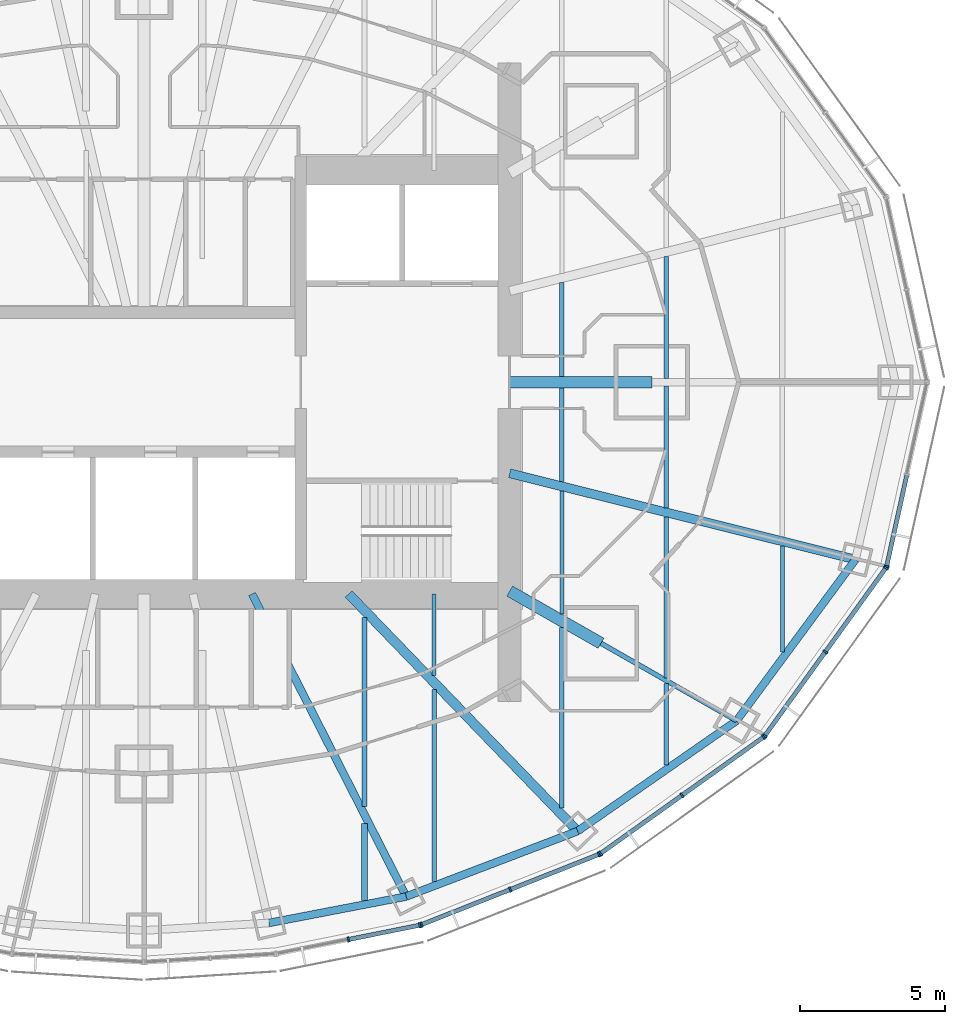
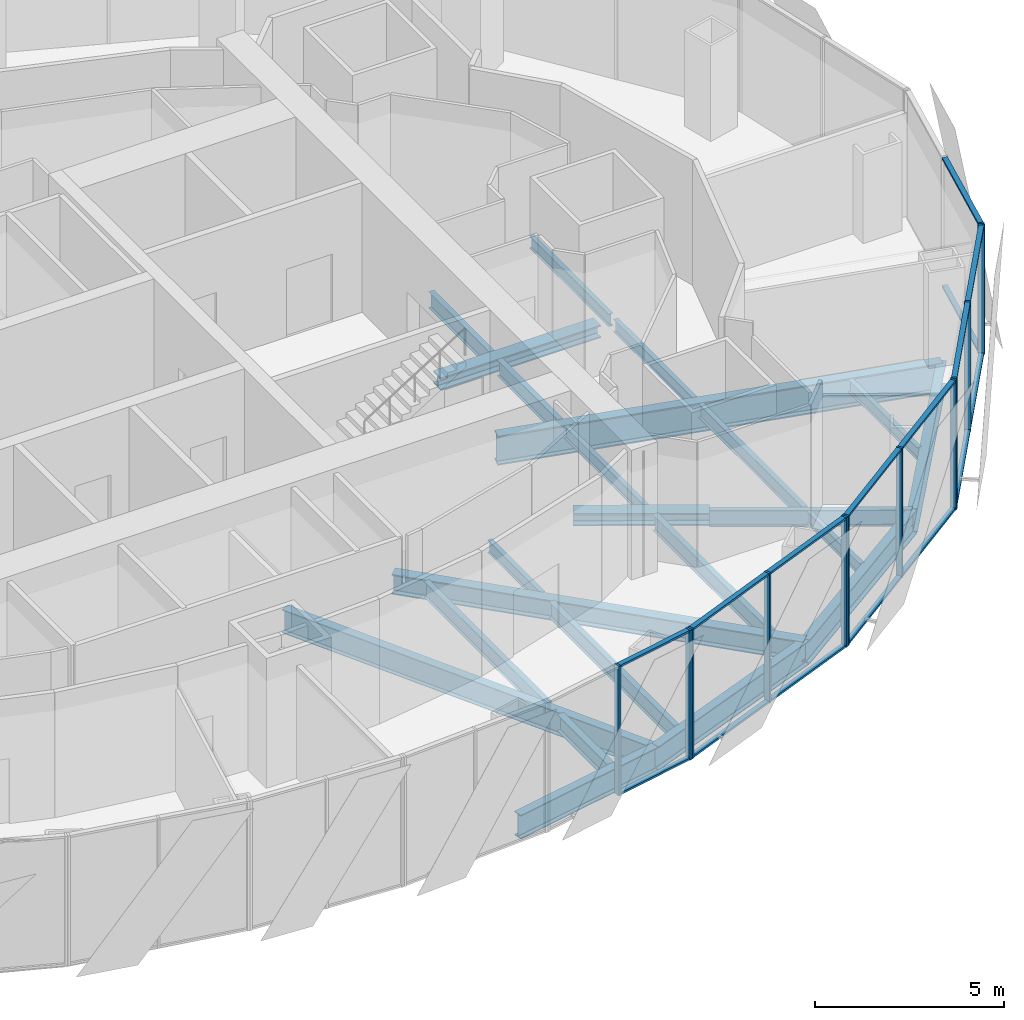
# One storey, part 6 of 18: 28 members, 23 beams, 5 elements without a shape of their own.
"""IFC4 building model written with IfcOpenShell, lengths in metres."""

from ifc_helpers import new_model, si_unit, direction, frame, origin, origin_2d, place, context, subcontext, project, spatial, rectangle, i_section, extrude, material, material_profile, profile_set, type_object, element, aggregate, save


model = new_model("IFC4")

# Units and contexts
model_context = context("Model", 3, precision=1e-05, world=origin(), true_north=direction((0.0, 1.0)))
body_context = subcontext(model_context, "Body", "Model", "MODEL_VIEW")
ifc_project = project(units=[si_unit("LENGTHUNIT", "METRE"), si_unit("AREAUNIT", "SQUARE_METRE"), si_unit("VOLUMEUNIT", "CUBIC_METRE"), si_unit("PLANEANGLEUNIT", "RADIAN"), si_unit("MASSUNIT", "GRAM", prefix="KILO")], contexts=[model_context])

# Site, building, storey
site_placement = place(None, origin())
site = spatial("IfcSite", under=ifc_project, at=site_placement, CompositionType="ELEMENT")
building_placement = place(site_placement, origin())
building = spatial("IfcBuilding", under=site, at=building_placement, Name="Lantaw Convention Tower", CompositionType="ELEMENT")
storey_placement = place(building_placement, frame((0.0, 0.0, 262.0)))
storey = spatial("IfcBuildingStorey", under=building, at=storey_placement, Name="L61", CompositionType="ELEMENT", Elevation=262.0)

# Beams
ifc_material_1 = material(Name="Steel ASTM A992", Category="steel")
ifc_material_profile_1 = material_profile(ifc_material_1, i_section(OverallWidth=0.2666015625, OverallDepth=0.76953125, WebThickness=0.015625, FlangeThickness=0.025390625, FilletRadius=0.0126953125, at=origin_2d()), Name="W30X132")
ifc_profile_set_1 = profile_set([ifc_material_profile_1], Name="Steel ASTM A992")
beam_type_1 = type_object("IfcBeamType", Name="Beam E W30X132", PredefinedType="SPANDREL", material=ifc_profile_set_1)
beam_1_placement = place(storey_placement, frame((4.303955078125, -18.64208984375, -0.534912109375), z_axis=(0.981972091702, 0.189025953556, 0.0), x_axis=(-0.189025953556, 0.981972091702, 0.0)))
element("IfcBeam", 1, at=beam_1_placement, inside=storey, type_object=beam_type_1, Name="Edge beam 20", PredefinedType="SPANDREL", context=body_context, shape_type="SweptSolid", body=[
    extrude(i_section(OverallWidth=0.2666015625, OverallDepth=0.76953125, WebThickness=0.015625, FlangeThickness=0.025390625, FilletRadius=0.0126953125, at=origin_2d()), origin(), (0.0, 0.0, 1.0), 4.817626953125),
])
beam_2_placement = place(storey_placement, frame((9.03466796875, -17.7314453125, -0.534912109375), z_axis=(0.934234988, 0.356658081637, 0.0), x_axis=(-0.356658081637, 0.934234988, 0.0)))
element("IfcBeam", 2, at=beam_2_placement, inside=storey, type_object=beam_type_1, Name="Edge beam 21", PredefinedType="SPANDREL", context=body_context, shape_type="SweptSolid", body=[
    extrude(i_section(OverallWidth=0.2666015625, OverallDepth=0.76953125, WebThickness=0.015625, FlangeThickness=0.025390625, FilletRadius=0.0126953125, at=origin_2d()), origin(), (0.0, 0.0, 1.0), 6.32568359375),
])
beam_3_placement = place(storey_placement, frame((14.9443359375, -15.475341796875, -0.534912109375), z_axis=(0.82135329406, 0.570419815869, 0.0), x_axis=(-0.570419815869, 0.82135329406, 0.0)))
element("IfcBeam", 3, at=beam_3_placement, inside=storey, type_object=beam_type_1, Name="Edge beam 22", PredefinedType="SPANDREL", context=body_context, shape_type="SweptSolid", body=[
    extrude(i_section(OverallWidth=0.2666015625, OverallDepth=0.76953125, WebThickness=0.015625, FlangeThickness=0.025390625, FilletRadius=0.0126953125, at=origin_2d()), origin(), (0.0, 0.0, 1.0), 6.67041015625),
])
beam_4_placement = place(storey_placement, frame((20.423095703125, -11.67041015625, -0.534912109375), z_axis=(0.593639188853, 0.804731329984, 0.0), x_axis=(-0.804731329984, 0.593639188853, 0.0)))
element("IfcBeam", 4, at=beam_4_placement, inside=storey, type_object=beam_type_1, Name="Edge beam 23", PredefinedType="SPANDREL", context=body_context, shape_type="SweptSolid", body=[
    extrude(i_section(OverallWidth=0.2666015625, OverallDepth=0.76953125, WebThickness=0.015625, FlangeThickness=0.025390625, FilletRadius=0.0126953125, at=origin_2d()), origin(), (0.0, 0.0, 1.0), 6.904541015625),
])
ifc_material_profile_2 = material_profile(ifc_material_1, i_section(OverallWidth=0.165771484375, OverallDepth=0.5283203125, WebThickness=0.009765625, FlangeThickness=0.013671875, FilletRadius=0.012939453125, at=origin_2d()), Name="W21X50")
ifc_profile_set_2 = profile_set([ifc_material_profile_2], Name="Steel ASTM A992")
beam_type_2 = type_object("IfcBeamType", Name="Beam G W21X50", PredefinedType="BEAM", material=ifc_profile_set_2)
beam_5_placement = place(storey_placement, frame((15.75, -9.0, -0.4140625), z_axis=(0.868237559289, -0.496148708192, 0.0), x_axis=(0.496148708192, 0.868237559289, 0.0)))
element("IfcBeam", 5, at=beam_5_placement, inside=storey, type_object=beam_type_2, Name="Floor girder on ray 23", PredefinedType="BEAM", context=body_context, shape_type="SweptSolid", body=[
    extrude(i_section(OverallWidth=0.165771484375, OverallDepth=0.5283203125, WebThickness=0.009765625, FlangeThickness=0.013671875, FilletRadius=0.012939453125, at=origin_2d()), origin(), (0.0, 0.0, 1.0), 5.38232421875),
])
ifc_material_profile_3 = material_profile(ifc_material_1, i_section(OverallWidth=0.32763671875, OverallDepth=0.64013671875, WebThickness=0.01904296875, FlangeThickness=0.033935546875, FilletRadius=0.0126953125, at=origin_2d()), Name="W24X176")
ifc_profile_set_3 = profile_set([ifc_material_profile_3], Name="Steel ASTM A992")
beam_type_3 = type_object("IfcBeamType", Name="Beam G W24X176", PredefinedType="BEAM", material=ifc_profile_set_3)
beam_6_placement = place(storey_placement, frame((7.049560546875, -7.300048828125, -0.469970703125), z_axis=(0.694657766726, -0.719340383356, 0.0), x_axis=(0.719340383356, 0.694657766726, 0.0)))
element("IfcBeam", 6, at=beam_6_placement, inside=storey, type_object=beam_type_3, Name="Floor girder on ray 22", PredefinedType="BEAM", context=body_context, shape_type="SweptSolid", body=[
    extrude(i_section(OverallWidth=0.32763671875, OverallDepth=0.64013671875, WebThickness=0.01904296875, FlangeThickness=0.033935546875, FilletRadius=0.0126953125, at=origin_2d()), origin(), (0.0, 0.0, 1.0), 11.364990234375),
])
ifc_material_profile_4 = material_profile(ifc_material_1, i_section(OverallWidth=0.2666015625, OverallDepth=0.7568359375, WebThickness=0.013916015625, FlangeThickness=0.019287109375, FilletRadius=0.0126953125, at=origin_2d()), Name="W30X108")
ifc_profile_set_4 = profile_set([ifc_material_profile_4], Name="Steel ASTM A992")
beam_type_4 = type_object("IfcBeamType", Name="Beam G W30X108", PredefinedType="BEAM", material=ifc_profile_set_4)
beam_7_placement = place(storey_placement, frame((3.719482421875, -7.300048828125, -0.528564453125), z_axis=(0.4539988787, -0.891002254845, 0.0), x_axis=(0.891002254845, 0.4539988787, 0.0)))
element("IfcBeam", 7, at=beam_7_placement, inside=storey, type_object=beam_type_4, Name="Floor girder on ray 21", PredefinedType="BEAM", context=body_context, shape_type="SweptSolid", body=[
    extrude(i_section(OverallWidth=0.2666015625, OverallDepth=0.7568359375, WebThickness=0.013916015625, FlangeThickness=0.019287109375, FilletRadius=0.0126953125, at=origin_2d()), origin(), (0.0, 0.0, 1.0), 11.70751953125),
])
ifc_material_profile_5 = material_profile(ifc_material_1, i_section(OverallWidth=0.307373046875, OverallDepth=0.9423828125, WebThickness=0.022216796875, FlangeThickness=0.039794921875, FilletRadius=0.0126953125, at=origin_2d()), Name="W36X232")
ifc_profile_set_5 = profile_set([ifc_material_profile_5], Name="Steel ASTM A992")
beam_type_5 = type_object("IfcBeamType", Name="Beam G W36X232", PredefinedType="BEAM", material=ifc_profile_set_5)
beam_8_placement = place(storey_placement, frame((12.60009765625, -3.1416015625, -0.62109375), z_axis=(0.970296589314, -0.241918434119, 0.0), x_axis=(0.241918434119, 0.970296589314, 0.0)))
element("IfcBeam", 8, at=beam_8_placement, inside=storey, type_object=beam_type_5, Name="Floor girder on ray 24", PredefinedType="BEAM", context=body_context, shape_type="SweptSolid", body=[
    extrude(i_section(OverallWidth=0.307373046875, OverallDepth=0.9423828125, WebThickness=0.022216796875, FlangeThickness=0.039794921875, FilletRadius=0.0126953125, at=origin_2d()), origin(), (0.0, 0.0, 1.0), 12.286865234375),
])
ifc_material_profile_6 = material_profile(ifc_material_1, i_section(OverallWidth=0.40380859375, OverallDepth=0.406494140625, WebThickness=0.027099609375, FlangeThickness=0.043701171875, FilletRadius=0.01513671875, at=origin_2d()), Name="W14X233")
ifc_profile_set_6 = profile_set([ifc_material_profile_6], Name="Steel ASTM A992")
beam_type_6 = type_object("IfcBeamType", Name="Beam GM W14X233", PredefinedType="BEAM", material=ifc_profile_set_6)
beam_9_placement = place(storey_placement, frame((12.60009765625, 0.0, -0.353271484375), z_axis=(1.0, 0.0, 0.0), x_axis=(0.0, 1.0, 0.0)))
element("IfcBeam", 9, at=beam_9_placement, inside=storey, type_object=beam_type_6, Name="Core link beam on ray 1", PredefinedType="BEAM", context=body_context, shape_type="SweptSolid", body=[
    extrude(i_section(OverallWidth=0.40380859375, OverallDepth=0.406494140625, WebThickness=0.027099609375, FlangeThickness=0.043701171875, FilletRadius=0.01513671875, at=origin_2d()), origin(), (0.0, 0.0, 1.0), 4.89990234375),
])
beam_10_placement = place(storey_placement, frame((12.60009765625, -7.199951171875, -0.353271484375), z_axis=(0.868230718294, -0.496160679428, 0.0), x_axis=(0.496160679428, 0.868230718294, 0.0)))
element("IfcBeam", 10, at=beam_10_placement, inside=storey, type_object=beam_type_6, Name="Core link beam on ray 23", PredefinedType="BEAM", context=body_context, shape_type="SweptSolid", body=[
    extrude(i_section(OverallWidth=0.40380859375, OverallDepth=0.406494140625, WebThickness=0.027099609375, FlangeThickness=0.043701171875, FilletRadius=0.01513671875, at=origin_2d()), origin(), (0.0, 0.0, 1.0), 3.6279296875),
])
ifc_material_profile_7 = material_profile(ifc_material_1, i_section(OverallWidth=0.140380859375, OverallDepth=0.40380859375, WebThickness=0.007080078125, FlangeThickness=0.01123046875, FilletRadius=0.01025390625, at=origin_2d()), Name="W16X31")
ifc_profile_set_7 = profile_set([ifc_material_profile_7], Name="Steel ASTM A992")
beam_type_7 = type_object("IfcBeamType", Name="Beam J W16X31", PredefinedType="JOIST", material=ifc_profile_set_7)
beam_11_placement = place(storey_placement, frame((10.0, -10.119384765625, -0.35205078125), z_axis=(0.0, 1.0, 0.0), x_axis=(-1.0, 0.0, 0.0)))
element("IfcBeam", 11, at=beam_11_placement, inside=storey, type_object=beam_type_7, Name="Floor joist", PredefinedType="JOIST", context=body_context, shape_type="SweptSolid", body=[
    extrude(i_section(OverallWidth=0.140380859375, OverallDepth=0.40380859375, WebThickness=0.007080078125, FlangeThickness=0.01123046875, FilletRadius=0.01025390625, at=origin_2d()), origin(), (0.0, 0.0, 1.0), 2.8193359375),
])
beam_12_placement = place(storey_placement, frame((14.39990234375, -7.99609375, -0.35205078125), z_axis=(0.0, 1.0, 0.0), x_axis=(-1.0, 0.0, 0.0)))
element("IfcBeam", 12, at=beam_12_placement, inside=storey, type_object=beam_type_7, Name="Floor joist", PredefinedType="JOIST", context=body_context, shape_type="SweptSolid", body=[
    extrude(i_section(OverallWidth=0.140380859375, OverallDepth=0.40380859375, WebThickness=0.007080078125, FlangeThickness=0.01123046875, FilletRadius=0.01025390625, at=origin_2d()), origin(), (0.0, 0.0, 1.0), 4.247314453125),
])
beam_13_placement = place(storey_placement, frame((18.0, -13.19091796875, -0.35205078125), z_axis=(0.0, 1.0, 0.0), x_axis=(-1.0, 0.0, 0.0)))
element("IfcBeam", 13, at=beam_13_placement, inside=storey, type_object=beam_type_7, Name="Floor joist", PredefinedType="JOIST", context=body_context, shape_type="SweptSolid", body=[
    extrude(i_section(OverallWidth=0.140380859375, OverallDepth=0.40380859375, WebThickness=0.007080078125, FlangeThickness=0.01123046875, FilletRadius=0.01025390625, at=origin_2d()), origin(), (0.0, 0.0, 1.0), 2.8095703125),
])
for number, where, z_axis, x_axis, name in (
    (14, (18.0, -4.32958984375, -0.35205078125), (0.0, 1.0, 0.0), (-1.0, 0.0, 0.0), "Floor joist"),
    (15, (18.0, 0.126953125, -0.35205078125), (0.0, 1.0, 0.0), (-1.0, 0.0, 0.0), "Floor joist"),
):
    element("IfcBeam", number, at=place(storey_placement, frame(where, z_axis=z_axis, x_axis=x_axis)), inside=storey, type_object=beam_type_7, Name=name, PredefinedType="JOIST", context=body_context, shape_type="SweptSolid", body=[
        extrude(i_section(OverallWidth=0.140380859375, OverallDepth=0.40380859375, WebThickness=0.007080078125, FlangeThickness=0.01123046875, FilletRadius=0.01025390625, at=origin_2d()), origin(), (0.0, 0.0, 1.0), 4.20263671875),
    ])
beam_14_placement = place(storey_placement, frame((22.0, -9.30810546875, -0.35205078125), z_axis=(0.0, 1.0, 0.0), x_axis=(-1.0, 0.0, 0.0)))
element("IfcBeam", 16, at=beam_14_placement, inside=storey, type_object=beam_type_7, Name="Floor joist", PredefinedType="JOIST", context=body_context, shape_type="SweptSolid", body=[
    extrude(i_section(OverallWidth=0.140380859375, OverallDepth=0.40380859375, WebThickness=0.007080078125, FlangeThickness=0.01123046875, FilletRadius=0.01025390625, at=origin_2d()), origin(), (0.0, 0.0, 1.0), 3.66455078125),
])
ifc_material_profile_8 = material_profile(ifc_material_1, i_section(OverallWidth=0.15234375, OverallDepth=0.449462890625, WebThickness=0.007568359375, FlangeThickness=0.0107421875, FilletRadius=0.01025390625, at=origin_2d()), Name="W18X35")
ifc_profile_set_8 = profile_set([ifc_material_profile_8], Name="Steel ASTM A992")
beam_type_8 = type_object("IfcBeamType", Name="Beam J W18X35", PredefinedType="JOIST", material=ifc_profile_set_8)
beam_15_placement = place(storey_placement, frame((18.0, -10.190185546875, -0.374755859375), z_axis=(0.0, 1.0, 0.0), x_axis=(-1.0, 0.0, 0.0)))
element("IfcBeam", 17, at=beam_15_placement, inside=storey, type_object=beam_type_8, Name="Floor joist", PredefinedType="JOIST", context=body_context, shape_type="SweptSolid", body=[
    extrude(i_section(OverallWidth=0.15234375, OverallDepth=0.449462890625, WebThickness=0.007568359375, FlangeThickness=0.0107421875, FilletRadius=0.01025390625, at=origin_2d()), origin(), (0.0, 0.0, 1.0), 5.5439453125),
])
ifc_material_profile_9 = material_profile(ifc_material_1, i_section(OverallWidth=0.1650390625, OverallDepth=0.52587890625, WebThickness=0.0087890625, FlangeThickness=0.011474609375, FilletRadius=0.0126953125, at=origin_2d()), Name="W21X44")
ifc_profile_set_9 = profile_set([ifc_material_profile_9], Name="Steel ASTM A992")
beam_type_9 = type_object("IfcBeamType", Name="Beam J W21X44", PredefinedType="JOIST", material=ifc_profile_set_9)
beam_16_placement = place(storey_placement, frame((7.60009765625, -14.6220703125, -0.412841796875), z_axis=(0.0, 1.0, 0.0), x_axis=(-1.0, 0.0, 0.0)))
element("IfcBeam", 18, at=beam_16_placement, inside=storey, type_object=beam_type_9, Name="Floor joist", PredefinedType="JOIST", context=body_context, shape_type="SweptSolid", body=[
    extrude(i_section(OverallWidth=0.1650390625, OverallDepth=0.52587890625, WebThickness=0.0087890625, FlangeThickness=0.011474609375, FilletRadius=0.0126953125, at=origin_2d()), origin(), (0.0, 0.0, 1.0), 6.51611328125),
])
beam_17_placement = place(storey_placement, frame((10.0, -17.22021484375, -0.412841796875), z_axis=(0.0, 1.0, 0.0), x_axis=(-1.0, 0.0, 0.0)))
element("IfcBeam", 19, at=beam_17_placement, inside=storey, type_object=beam_type_9, Name="Floor joist", PredefinedType="JOIST", context=body_context, shape_type="SweptSolid", body=[
    extrude(i_section(OverallWidth=0.1650390625, OverallDepth=0.52587890625, WebThickness=0.0087890625, FlangeThickness=0.011474609375, FilletRadius=0.0126953125, at=origin_2d()), origin(), (0.0, 0.0, 1.0), 6.629150390625),
])
beam_18_placement = place(storey_placement, frame((14.39990234375, -14.67578125, -0.412841796875), z_axis=(0.0, 1.0, 0.0), x_axis=(-1.0, 0.0, 0.0)))
element("IfcBeam", 20, at=beam_18_placement, inside=storey, type_object=beam_type_9, Name="Floor joist", PredefinedType="JOIST", context=body_context, shape_type="SweptSolid", body=[
    extrude(i_section(OverallWidth=0.1650390625, OverallDepth=0.52587890625, WebThickness=0.0087890625, FlangeThickness=0.011474609375, FilletRadius=0.0126953125, at=origin_2d()), origin(), (0.0, 0.0, 1.0), 6.214599609375),
])
for number, where, z_axis, x_axis, name in (
    (21, (14.39990234375, -3.431884765625, -0.412841796875), (0.0, 1.0, 0.0), (-1.0, 0.0, 0.0), "Floor joist"),
    (22, (14.39990234375, 0.201904296875, -0.412841796875), (0.0, 1.0, 0.0), (-1.0, 0.0, 0.0), "Floor joist"),
):
    element("IfcBeam", number, at=place(storey_placement, frame(where, z_axis=z_axis, x_axis=x_axis)), inside=storey, type_object=beam_type_9, Name=name, PredefinedType="JOIST", context=body_context, shape_type="SweptSolid", body=[
        extrude(i_section(OverallWidth=0.1650390625, OverallDepth=0.52587890625, WebThickness=0.0087890625, FlangeThickness=0.011474609375, FilletRadius=0.0126953125, at=origin_2d()), origin(), (0.0, 0.0, 1.0), 3.22998046875),
    ])
ifc_material_profile_10 = material_profile(ifc_material_1, i_section(OverallWidth=0.2099609375, OverallDepth=0.535888671875, WebThickness=0.010986328125, FlangeThickness=0.017333984375, FilletRadius=0.012939453125, at=origin_2d()), Name="W21X68")
ifc_profile_set_10 = profile_set([ifc_material_profile_10], Name="Steel ASTM A992")
beam_type_10 = type_object("IfcBeamType", Name="Beam J W21X68", PredefinedType="JOIST", material=ifc_profile_set_10)
beam_19_placement = place(storey_placement, frame((7.60009765625, -17.871826171875, -0.41796875), z_axis=(0.0, 1.0, 0.0), x_axis=(-1.0, 0.0, 0.0)))
element("IfcBeam", 23, at=beam_19_placement, inside=storey, type_object=beam_type_10, Name="Floor joist", PredefinedType="JOIST", context=body_context, shape_type="SweptSolid", body=[
    extrude(i_section(OverallWidth=0.2099609375, OverallDepth=0.535888671875, WebThickness=0.010986328125, FlangeThickness=0.017333984375, FilletRadius=0.012939453125, at=origin_2d()), origin(), (0.0, 0.0, 1.0), 2.662353515625),
])

# Curtain wall, members
ifc_material_2 = material(Name="Aluminium framed curtain wall", Category="aluminium")
curtain_wall_type = type_object("IfcCurtainWallType", Name="Office curtain wall high rise, pale aluminium", PredefinedType="USERDEFINED", material=ifc_material_2)
curtain_wall_1_placement = place(storey_placement, origin())
curtain_wall_1 = element("IfcCurtainWall", 24, at=curtain_wall_1_placement, inside=storey, type_object=curtain_wall_type, Name="Office curtain wall high rise, pale aluminium L61", ObjectType="UNITISED CURTAIN WALL", PredefinedType="USERDEFINED")
ifc_material_3 = material(Name="Aluminium 6063-T6", Category="aluminium")
ifc_material_profile_11 = material_profile(ifc_material_3, rectangle(XDim=0.179931640625, YDim=0.06494140625, at=origin_2d()), Name="CW-O2 mullion 65x180")
ifc_profile_set_11 = profile_set([ifc_material_profile_11], Name="Aluminium 6063-T6")
member_type_1 = type_object("IfcMemberType", Name="CW-O2 mullion 65x180", PredefinedType="MULLION", material=ifc_profile_set_11)
member_1_placement = place(storey_placement, frame((7.042724609375, -19.212646484375, -0.14990234375), z_axis=(0.0, 0.0, 1.0), x_axis=(-0.197183095987, 0.980366679695, 0.0)))
member_1 = element("IfcMember", 25, at=member_1_placement, type_object=member_type_1, Name="CW-O2 mullion 2", PredefinedType="MULLION", context=body_context, shape_type="SweptSolid", body=[
    extrude(rectangle(XDim=0.179931640625, YDim=0.06494140625, at=origin_2d()), origin(), (0.0, 0.0, 1.0), 4.199951171875),
])
member_2_placement = place(storey_placement, frame((9.502197265625, -18.718017578125, -0.14990234375), z_axis=(0.0, 0.0, 1.0), x_axis=(-0.197183095987, 0.980366679695, 0.0)))
member_2 = element("IfcMember", 26, at=member_2_placement, type_object=member_type_1, Name="CW-O2 mullion 3", PredefinedType="MULLION", context=body_context, shape_type="SweptSolid", body=[
    extrude(rectangle(XDim=0.179931640625, YDim=0.06494140625, at=origin_2d()), origin(), (0.0, 0.0, 1.0), 4.199951171875),
])

curtain_wall_2_placement = place(storey_placement, origin())
curtain_wall_2 = element("IfcCurtainWall", 27, at=curtain_wall_2_placement, inside=storey, type_object=curtain_wall_type, Name="Office curtain wall high rise, pale aluminium L61", ObjectType="UNITISED CURTAIN WALL", PredefinedType="USERDEFINED")
member_3_placement = place(storey_placement, frame((9.564208984375, -18.69970703125, -0.14990234375), z_axis=(0.0, 0.0, 1.0), x_axis=(-0.368162315252, 0.929761533743, 0.0)))
member_3 = element("IfcMember", 28, at=member_3_placement, type_object=member_type_1, Name="CW-O2 mullion 1", PredefinedType="MULLION", context=body_context, shape_type="SweptSolid", body=[
    extrude(rectangle(XDim=0.179931640625, YDim=0.06494140625, at=origin_2d()), origin(), (0.0, 0.0, 1.0), 4.199951171875),
])
member_4_placement = place(storey_placement, frame((12.621337890625, -17.4892578125, -0.14990234375), z_axis=(0.0, 0.0, 1.0), x_axis=(-0.368162315252, 0.929761533743, 0.0)))
member_4 = element("IfcMember", 29, at=member_4_placement, type_object=member_type_1, Name="CW-O2 mullion 2", PredefinedType="MULLION", context=body_context, shape_type="SweptSolid", body=[
    extrude(rectangle(XDim=0.179931640625, YDim=0.06494140625, at=origin_2d()), origin(), (0.0, 0.0, 1.0), 4.199951171875),
])
member_5_placement = place(storey_placement, frame((15.67822265625, -16.278564453125, -0.14990234375), z_axis=(0.0, 0.0, 1.0), x_axis=(-0.368162315252, 0.929761533743, 0.0)))
member_5 = element("IfcMember", 30, at=member_5_placement, type_object=member_type_1, Name="CW-O2 mullion 3", PredefinedType="MULLION", context=body_context, shape_type="SweptSolid", body=[
    extrude(rectangle(XDim=0.179931640625, YDim=0.06494140625, at=origin_2d()), origin(), (0.0, 0.0, 1.0), 4.199951171875),
])

curtain_wall_3_placement = place(storey_placement, origin())
curtain_wall_3 = element("IfcCurtainWall", 31, at=curtain_wall_3_placement, inside=storey, type_object=curtain_wall_type, Name="Office curtain wall high rise, pale aluminium L61", ObjectType="UNITISED CURTAIN WALL", PredefinedType="USERDEFINED")
member_6_placement = place(storey_placement, frame((15.73486328125, -16.247802734375, -0.14990234375), z_axis=(0.0, 0.0, 1.0), x_axis=(-0.581323487281, 0.813672540482, 0.0)))
member_6 = element("IfcMember", 32, at=member_6_placement, type_object=member_type_1, Name="CW-O2 mullion 1", PredefinedType="MULLION", context=body_context, shape_type="SweptSolid", body=[
    extrude(rectangle(XDim=0.179931640625, YDim=0.06494140625, at=origin_2d()), origin(), (0.0, 0.0, 1.0), 4.199951171875),
])
member_7_placement = place(storey_placement, frame((18.543212890625, -14.241455078125, -0.14990234375), z_axis=(0.0, 0.0, 1.0), x_axis=(-0.581323487281, 0.813672540482, 0.0)))
member_7 = element("IfcMember", 33, at=member_7_placement, type_object=member_type_1, Name="CW-O2 mullion 2", PredefinedType="MULLION", context=body_context, shape_type="SweptSolid", body=[
    extrude(rectangle(XDim=0.179931640625, YDim=0.06494140625, at=origin_2d()), origin(), (0.0, 0.0, 1.0), 4.199951171875),
])
member_8_placement = place(storey_placement, frame((21.3515625, -12.23486328125, -0.14990234375), z_axis=(0.0, 0.0, 1.0), x_axis=(-0.581323487281, 0.813672540482, 0.0)))
member_8 = element("IfcMember", 34, at=member_8_placement, type_object=member_type_1, Name="CW-O2 mullion 3", PredefinedType="MULLION", context=body_context, shape_type="SweptSolid", body=[
    extrude(rectangle(XDim=0.179931640625, YDim=0.06494140625, at=origin_2d()), origin(), (0.0, 0.0, 1.0), 4.199951171875),
])

curtain_wall_4_placement = place(storey_placement, origin())
curtain_wall_4 = element("IfcCurtainWall", 35, at=curtain_wall_4_placement, inside=storey, type_object=curtain_wall_type, Name="Office curtain wall high rise, pale aluminium L61", ObjectType="UNITISED CURTAIN WALL", PredefinedType="USERDEFINED")
member_9_placement = place(storey_placement, frame((21.397216796875, -12.189697265625, -0.14990234375), z_axis=(0.0, 0.0, 1.0), x_axis=(-0.810919559405, 0.585157643865, 0.0)))
member_9 = element("IfcMember", 36, at=member_9_placement, type_object=member_type_1, Name="CW-O2 mullion 1", PredefinedType="MULLION", context=body_context, shape_type="SweptSolid", body=[
    extrude(rectangle(XDim=0.179931640625, YDim=0.06494140625, at=origin_2d()), origin(), (0.0, 0.0, 1.0), 4.199951171875),
])
member_10_placement = place(storey_placement, frame((23.483642578125, -9.298095703125, -0.14990234375), z_axis=(0.0, 0.0, 1.0), x_axis=(-0.810919559405, 0.585157643865, 0.0)))
member_10 = element("IfcMember", 37, at=member_10_placement, type_object=member_type_1, Name="CW-O2 mullion 2", PredefinedType="MULLION", context=body_context, shape_type="SweptSolid", body=[
    extrude(rectangle(XDim=0.179931640625, YDim=0.06494140625, at=origin_2d()), origin(), (0.0, 0.0, 1.0), 4.199951171875),
])
member_11_placement = place(storey_placement, frame((25.5703125, -6.406494140625, -0.14990234375), z_axis=(0.0, 0.0, 1.0), x_axis=(-0.810919559405, 0.585157643865, 0.0)))
member_11 = element("IfcMember", 38, at=member_11_placement, type_object=member_type_1, Name="CW-O2 mullion 3", PredefinedType="MULLION", context=body_context, shape_type="SweptSolid", body=[
    extrude(rectangle(XDim=0.179931640625, YDim=0.06494140625, at=origin_2d()), origin(), (0.0, 0.0, 1.0), 4.199951171875),
])

# Curtain wall, member
curtain_wall_5_placement = place(storey_placement, origin())
curtain_wall_5 = element("IfcCurtainWall", 39, at=curtain_wall_5_placement, inside=storey, type_object=curtain_wall_type, Name="Office curtain wall high rise, pale aluminium L61", ObjectType="UNITISED CURTAIN WALL", PredefinedType="USERDEFINED")
member_12_placement = place(storey_placement, frame((25.596435546875, -6.348388671875, -0.14990234375), z_axis=(0.0, 0.0, 1.0), x_axis=(-0.976417396437, 0.215891333626, 0.0)))
member_12 = element("IfcMember", 40, at=member_12_placement, type_object=member_type_1, Name="CW-O2 mullion 1", PredefinedType="MULLION", context=body_context, shape_type="SweptSolid", body=[
    extrude(rectangle(XDim=0.179931640625, YDim=0.06494140625, at=origin_2d()), origin(), (0.0, 0.0, 1.0), 4.199951171875),
])

# Member
ifc_material_profile_12 = material_profile(ifc_material_3, rectangle(XDim=0.14990234375, YDim=0.06494140625, at=origin_2d()), Name="CW-O2 transom 65x150")
ifc_profile_set_12 = profile_set([ifc_material_profile_12], Name="Aluminium 6063-T6")
member_type_2 = type_object("IfcMemberType", Name="CW-O2 transom 65x150", PredefinedType="USERDEFINED", material=ifc_profile_set_12)
member_13_placement = place(storey_placement, frame((7.074462890625, -19.206298828125, -0.117431640625), z_axis=(0.98036104319, 0.197211117829, 0.0), x_axis=(-0.197211117829, 0.98036104319, 0.0)))
member_13 = element("IfcMember", 41, at=member_13_placement, type_object=member_type_2, Name="CW-O2 transom 2.1", ObjectType="TRANSOM", PredefinedType="USERDEFINED", context=body_context, shape_type="SweptSolid", body=[
    extrude(rectangle(XDim=0.14990234375, YDim=0.06494140625, at=origin_2d()), origin(), (0.0, 0.0, 1.0), 2.44384765625),
])

member_14_placement = place(storey_placement, frame((7.074462890625, -19.206298828125, 4.017578125), z_axis=(0.98036104319, 0.197211117829, 0.0), x_axis=(-0.197211117829, 0.98036104319, 0.0)))
member_14 = element("IfcMember", 42, at=member_14_placement, type_object=member_type_2, Name="CW-O2 transom 2.2", ObjectType="TRANSOM", PredefinedType="USERDEFINED", context=body_context, shape_type="SweptSolid", body=[
    extrude(rectangle(XDim=0.14990234375, YDim=0.06494140625, at=origin_2d()), origin(), (0.0, 0.0, 1.0), 2.44384765625),
])

aggregate(curtain_wall_1, [member_1, member_2, member_13, member_14])

member_15_placement = place(storey_placement, frame((9.594482421875, -18.687744140625, -0.117431640625), z_axis=(0.929766642946, 0.368149412149, 0.0), x_axis=(-0.368149412149, 0.929766642946, 0.0)))
member_15 = element("IfcMember", 43, at=member_15_placement, type_object=member_type_2, Name="CW-O2 transom 1.1", ObjectType="TRANSOM", PredefinedType="USERDEFINED", context=body_context, shape_type="SweptSolid", body=[
    extrude(rectangle(XDim=0.14990234375, YDim=0.06494140625, at=origin_2d()), origin(), (0.0, 0.0, 1.0), 3.222900390625),
])

member_16_placement = place(storey_placement, frame((9.594482421875, -18.687744140625, 4.017578125), z_axis=(0.929766642946, 0.368149412149, 0.0), x_axis=(-0.368149412149, 0.929766642946, 0.0)))
member_16 = element("IfcMember", 44, at=member_16_placement, type_object=member_type_2, Name="CW-O2 transom 1.2", ObjectType="TRANSOM", PredefinedType="USERDEFINED", context=body_context, shape_type="SweptSolid", body=[
    extrude(rectangle(XDim=0.14990234375, YDim=0.06494140625, at=origin_2d()), origin(), (0.0, 0.0, 1.0), 3.222900390625),
])

member_17_placement = place(storey_placement, frame((12.651611328125, -17.477294921875, -0.117431640625), z_axis=(0.929740712354, 0.368214893495, 0.0), x_axis=(-0.368214893495, 0.929740712354, 0.0)))
member_17 = element("IfcMember", 45, at=member_17_placement, type_object=member_type_2, Name="CW-O2 transom 2.1", ObjectType="TRANSOM", PredefinedType="USERDEFINED", context=body_context, shape_type="SweptSolid", body=[
    extrude(rectangle(XDim=0.14990234375, YDim=0.06494140625, at=origin_2d()), origin(), (0.0, 0.0, 1.0), 3.22314453125),
])

member_18_placement = place(storey_placement, frame((12.651611328125, -17.477294921875, 4.017578125), z_axis=(0.929740712354, 0.368214893495, 0.0), x_axis=(-0.368214893495, 0.929740712354, 0.0)))
member_18 = element("IfcMember", 46, at=member_18_placement, type_object=member_type_2, Name="CW-O2 transom 2.2", ObjectType="TRANSOM", PredefinedType="USERDEFINED", context=body_context, shape_type="SweptSolid", body=[
    extrude(rectangle(XDim=0.14990234375, YDim=0.06494140625, at=origin_2d()), origin(), (0.0, 0.0, 1.0), 3.22314453125),
])

aggregate(curtain_wall_2, [member_3, member_4, member_5, member_15, member_16, member_17, member_18])

member_19_placement = place(storey_placement, frame((15.761474609375, -16.22900390625, -0.117431640625), z_axis=(0.813645780821, 0.581360940683, 0.0), x_axis=(-0.581360940683, 0.813645780821, 0.0)))
member_19 = element("IfcMember", 47, at=member_19_placement, type_object=member_type_2, Name="CW-O2 transom 1.1", ObjectType="TRANSOM", PredefinedType="USERDEFINED", context=body_context, shape_type="SweptSolid", body=[
    extrude(rectangle(XDim=0.14990234375, YDim=0.06494140625, at=origin_2d()), origin(), (0.0, 0.0, 1.0), 3.386474609375),
])

member_20_placement = place(storey_placement, frame((15.761474609375, -16.22900390625, 4.017578125), z_axis=(0.813645780821, 0.581360940683, 0.0), x_axis=(-0.581360940683, 0.813645780821, 0.0)))
member_20 = element("IfcMember", 48, at=member_20_placement, type_object=member_type_2, Name="CW-O2 transom 1.2", ObjectType="TRANSOM", PredefinedType="USERDEFINED", context=body_context, shape_type="SweptSolid", body=[
    extrude(rectangle(XDim=0.14990234375, YDim=0.06494140625, at=origin_2d()), origin(), (0.0, 0.0, 1.0), 3.386474609375),
])

member_21_placement = place(storey_placement, frame((18.56982421875, -14.222412109375, -0.117431640625), z_axis=(0.813679882592, 0.581313210468, 0.0), x_axis=(-0.581313210468, 0.813679882592, 0.0)))
member_21 = element("IfcMember", 49, at=member_21_placement, type_object=member_type_2, Name="CW-O2 transom 2.1", ObjectType="TRANSOM", PredefinedType="USERDEFINED", context=body_context, shape_type="SweptSolid", body=[
    extrude(rectangle(XDim=0.14990234375, YDim=0.06494140625, at=origin_2d()), origin(), (0.0, 0.0, 1.0), 3.38623046875),
])

member_22_placement = place(storey_placement, frame((18.56982421875, -14.222412109375, 4.017578125), z_axis=(0.813679882592, 0.581313210468, 0.0), x_axis=(-0.581313210468, 0.813679882592, 0.0)))
member_22 = element("IfcMember", 50, at=member_22_placement, type_object=member_type_2, Name="CW-O2 transom 2.2", ObjectType="TRANSOM", PredefinedType="USERDEFINED", context=body_context, shape_type="SweptSolid", body=[
    extrude(rectangle(XDim=0.14990234375, YDim=0.06494140625, at=origin_2d()), origin(), (0.0, 0.0, 1.0), 3.38623046875),
])

aggregate(curtain_wall_3, [member_6, member_7, member_8, member_19, member_20, member_21, member_22])

member_23_placement = place(storey_placement, frame((21.416259765625, -12.163330078125, -0.117431640625), z_axis=(0.585123825205, 0.810943961798, 0.0), x_axis=(-0.810943961798, 0.585123825205, 0.0)))
member_23 = element("IfcMember", 51, at=member_23_placement, type_object=member_type_2, Name="CW-O2 transom 1.1", ObjectType="TRANSOM", PredefinedType="USERDEFINED", context=body_context, shape_type="SweptSolid", body=[
    extrude(rectangle(XDim=0.14990234375, YDim=0.06494140625, at=origin_2d()), origin(), (0.0, 0.0, 1.0), 3.500732421875),
])

member_24_placement = place(storey_placement, frame((21.416259765625, -12.163330078125, 4.017578125), z_axis=(0.585123825205, 0.810943961798, 0.0), x_axis=(-0.810943961798, 0.585123825205, 0.0)))
member_24 = element("IfcMember", 52, at=member_24_placement, type_object=member_type_2, Name="CW-O2 transom 1.2", ObjectType="TRANSOM", PredefinedType="USERDEFINED", context=body_context, shape_type="SweptSolid", body=[
    extrude(rectangle(XDim=0.14990234375, YDim=0.06494140625, at=origin_2d()), origin(), (0.0, 0.0, 1.0), 3.500732421875),
])

member_25_placement = place(storey_placement, frame((23.502685546875, -9.271728515625, -0.117431640625), z_axis=(0.585169685931, 0.810910869743, 0.0), x_axis=(-0.810910869743, 0.585169685931, 0.0)))
member_25 = element("IfcMember", 53, at=member_25_placement, type_object=member_type_2, Name="CW-O2 transom 2.1", ObjectType="TRANSOM", PredefinedType="USERDEFINED", context=body_context, shape_type="SweptSolid", body=[
    extrude(rectangle(XDim=0.14990234375, YDim=0.06494140625, at=origin_2d()), origin(), (0.0, 0.0, 1.0), 3.500732421875),
])

member_26_placement = place(storey_placement, frame((23.502685546875, -9.271728515625, 4.017578125), z_axis=(0.585169685931, 0.810910869743, 0.0), x_axis=(-0.810910869743, 0.585169685931, 0.0)))
member_26 = element("IfcMember", 54, at=member_26_placement, type_object=member_type_2, Name="CW-O2 transom 2.2", ObjectType="TRANSOM", PredefinedType="USERDEFINED", context=body_context, shape_type="SweptSolid", body=[
    extrude(rectangle(XDim=0.14990234375, YDim=0.06494140625, at=origin_2d()), origin(), (0.0, 0.0, 1.0), 3.500732421875),
])

aggregate(curtain_wall_4, [member_9, member_10, member_11, member_23, member_24, member_25, member_26])

member_27_placement = place(storey_placement, frame((25.603271484375, -6.316650390625, -0.117431640625), z_axis=(0.215894607042, 0.976416672661, 0.0), x_axis=(-0.976416672661, 0.215894607042, 0.0)))
member_27 = element("IfcMember", 55, at=member_27_placement, type_object=member_type_2, Name="CW-O2 transom 1.1", ObjectType="TRANSOM", PredefinedType="USERDEFINED", context=body_context, shape_type="SweptSolid", body=[
    extrude(rectangle(XDim=0.14990234375, YDim=0.06494140625, at=origin_2d()), origin(), (0.0, 0.0, 1.0), 3.169677734375),
])

member_28_placement = place(storey_placement, frame((25.603271484375, -6.316650390625, 4.017578125), z_axis=(0.215894607042, 0.976416672661, 0.0), x_axis=(-0.976416672661, 0.215894607042, 0.0)))
member_28 = element("IfcMember", 56, at=member_28_placement, type_object=member_type_2, Name="CW-O2 transom 1.2", ObjectType="TRANSOM", PredefinedType="USERDEFINED", context=body_context, shape_type="SweptSolid", body=[
    extrude(rectangle(XDim=0.14990234375, YDim=0.06494140625, at=origin_2d()), origin(), (0.0, 0.0, 1.0), 3.169677734375),
])

aggregate(curtain_wall_5, [member_12, member_27, member_28])

save(model, "model.ifc")
